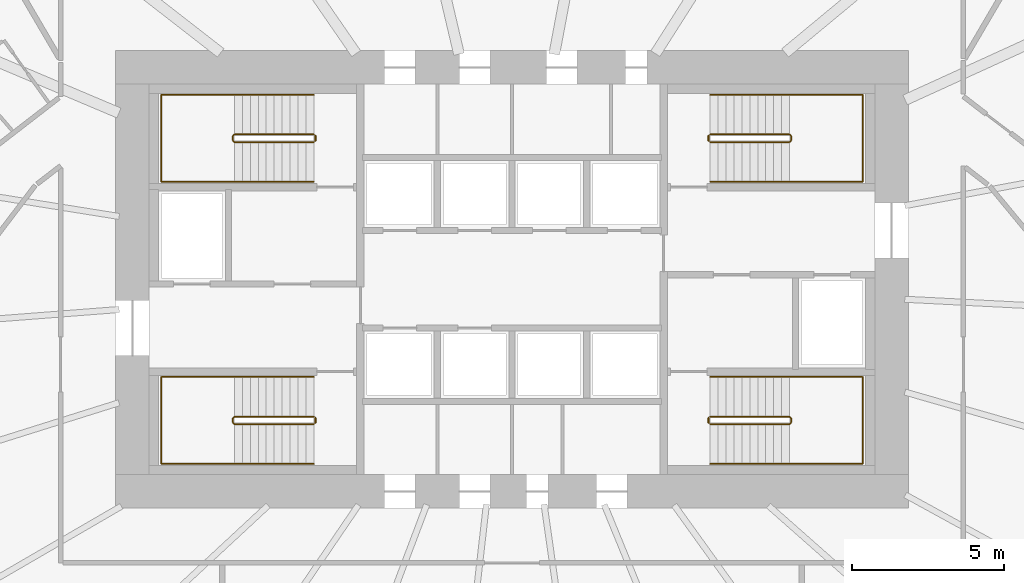
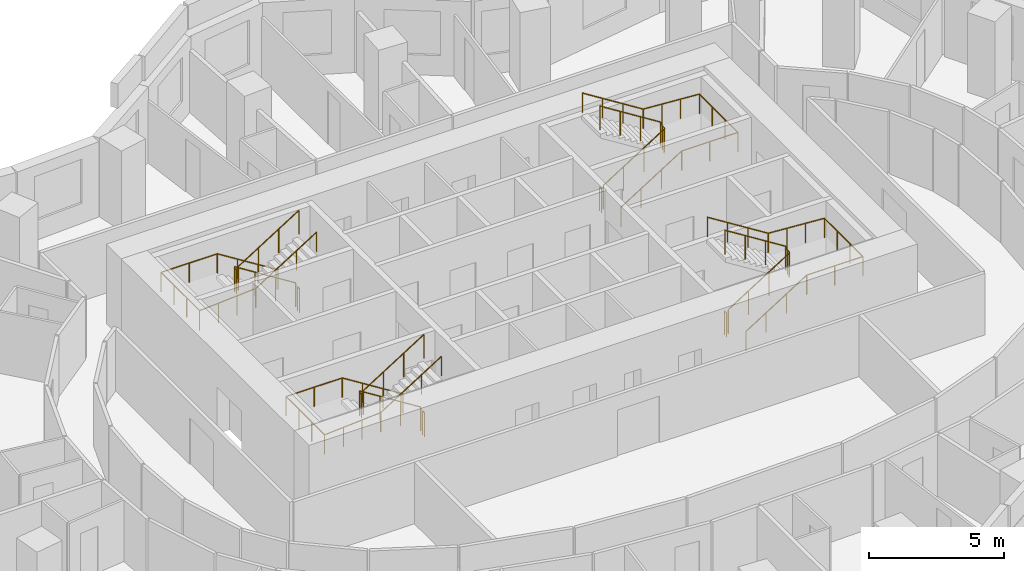
# One storey, part 11 of 11: 12 railings.
"""IFC4 building model written with IfcOpenShell, lengths in metres."""

from ifc_helpers import new_model, si_unit, direction, frame, origin, origin_2d, place, context, subcontext, project, spatial, circle, extrude, material, type_object, element, save


model = new_model("IFC4")

# Units and contexts
model_context = context("Model", 3, precision=1e-05, world=origin(), true_north=direction((0.0, 1.0)))
body_context = subcontext(model_context, "Body", "Model", "MODEL_VIEW")
ifc_project = project(units=[si_unit("LENGTHUNIT", "METRE"), si_unit("AREAUNIT", "SQUARE_METRE"), si_unit("VOLUMEUNIT", "CUBIC_METRE"), si_unit("PLANEANGLEUNIT", "RADIAN"), si_unit("MASSUNIT", "GRAM", prefix="KILO")], contexts=[model_context])

# Site, building, storey
site_placement = place(None, origin())
site = spatial("IfcSite", under=ifc_project, at=site_placement, CompositionType="ELEMENT")
building_placement = place(site_placement, origin())
building = spatial("IfcBuilding", under=site, at=building_placement, Name="Rubra Terraces Tower", CompositionType="ELEMENT")
storey_placement = place(building_placement, frame((0.0, 0.0, 81.60009765625)))
storey = spatial("IfcBuildingStorey", under=building, at=storey_placement, Name="L18", CompositionType="ELEMENT", Elevation=81.60009765625)

# Railings
ifc_material = material(Name="Stainless steel", Category="steel")
railing_type_1 = type_object("IfcRailingType", Name="Core stair guard 1100", PredefinedType="GUARDRAIL", material=ifc_material)
railing_1_placement = place(storey_placement, frame((-6.5, 0.0, 0.16357421875)))
element("IfcRailing", 1, at=railing_1_placement, inside=storey, type_object=railing_type_1, Name="L18 stair S1 guard 1", PredefinedType="GUARDRAIL", context=body_context, shape_type="SweptSolid", body=[
    extrude(circle(Radius=0.02392578125, at=origin_2d()), frame((0.0, 0.0, 1.076171875), z_axis=(-0.846360218416, 0.0, 0.532610909279), x_axis=(0.0, -1.0, 0.0)), (0.0, 0.0, 1.0), 3.072021484375),
    extrude(circle(Radius=0.02392578125, at=origin_2d()), frame((-2.60009765625, 0.0, 2.71240234375), z_axis=(-0.705375805398, -0.708833529934, 0.0), x_axis=(0.708833529934, -0.705375805398, 0.0)), (0.0, 0.0, 1.0), 0.070556640625),
    extrude(circle(Radius=0.02392578125, at=origin_2d()), frame((-2.64990234375, -0.050048828125, 2.71240234375), z_axis=(0.0, -1.0, 0.0), x_axis=(1.0, 0.0, 0.0)), (0.0, 0.0, 1.0), 0.14990234375),
    extrude(circle(Radius=0.02392578125, at=origin_2d()), frame((-2.64990234375, -0.199951171875, 2.71240234375), z_axis=(0.279194930351, -0.280563532951, 0.91833234444), x_axis=(0.708833529934, 0.705375805398, 0.0)), (0.0, 0.0, 1.0), 0.178466796875),
    extrude(circle(Radius=0.02392578125, at=origin_2d()), frame((-2.60009765625, -0.25, 2.8759765625), z_axis=(0.846360218416, 0.0, 0.532610909279), x_axis=(0.0, 1.0, 0.0)), (0.0, 0.0, 1.0), 3.072021484375),
    extrude(circle(Radius=0.02099609375, at=origin_2d()), origin(), (0.0, 0.0, 1.0), 1.052001953125),
    extrude(circle(Radius=0.02099609375, at=origin_2d()), frame((-0.86669921875, 0.0, 0.54541015625)), (0.0, 0.0, 1.0), 1.052001953125),
    extrude(circle(Radius=0.02099609375, at=origin_2d()), frame((-1.7333984375, 0.0, 1.0908203125)), (0.0, 0.0, 1.0), 1.052001953125),
    extrude(circle(Radius=0.02099609375, at=origin_2d()), frame((-2.60009765625, 0.0, 1.63623046875)), (0.0, 0.0, 1.0), 1.052001953125),
    extrude(circle(Radius=0.02099609375, at=origin_2d()), frame((-2.64990234375, -0.050048828125, 1.63623046875)), (0.0, 0.0, 1.0), 1.052001953125),
    extrude(circle(Radius=0.02099609375, at=origin_2d()), frame((-2.64990234375, -0.199951171875, 1.63623046875)), (0.0, 0.0, 1.0), 1.052001953125),
    extrude(circle(Radius=0.02099609375, at=origin_2d()), frame((-2.60009765625, -0.25, 1.800048828125)), (0.0, 0.0, 1.0), 1.052001953125),
    extrude(circle(Radius=0.02099609375, at=origin_2d()), frame((-1.7333984375, -0.25, 2.345458984375)), (0.0, 0.0, 1.0), 1.052001953125),
    extrude(circle(Radius=0.02099609375, at=origin_2d()), frame((-0.86669921875, -0.25, 2.890869140625)), (0.0, 0.0, 1.0), 1.052001953125),
    extrude(circle(Radius=0.02099609375, at=origin_2d()), frame((0.0, -0.25, 3.436279296875)), (0.0, 0.0, 1.0), 1.052001953125),
])
railing_2_placement = place(storey_placement, frame((-6.449951171875, -0.050048828125, 0.0)))
element("IfcRailing", 2, at=railing_2_placement, inside=storey, type_object=railing_type_1, Name="L18 stair S1 guard 2", PredefinedType="GUARDRAIL", context=body_context, shape_type="SweptSolid", body=[
    extrude(circle(Radius=0.02392578125, at=origin_2d()), frame((0.0, 0.0, 1.076171875), z_axis=(0.0, -1.0, 0.0), x_axis=(1.0, 0.0, 0.0)), (0.0, 0.0, 1.0), 0.14990234375),
    extrude(circle(Radius=0.02099609375, at=origin_2d()), origin(), (0.0, 0.0, 1.0), 1.052001953125),
    extrude(circle(Radius=0.02099609375, at=origin_2d()), frame((0.0, -0.14990234375, 0.0)), (0.0, 0.0, 1.0), 1.052001953125),
])
railing_3_placement = place(storey_placement, frame((-6.5, 9.25, 0.16357421875)))
element("IfcRailing", 3, at=railing_3_placement, inside=storey, type_object=railing_type_1, Name="L18 stair S2 guard 1", PredefinedType="GUARDRAIL", context=body_context, shape_type="SweptSolid", body=[
    extrude(circle(Radius=0.02392578125, at=origin_2d()), frame((0.0, 0.0, 1.076171875), z_axis=(-0.846360218416, 0.0, 0.532610909279), x_axis=(0.0, -1.0, 0.0)), (0.0, 0.0, 1.0), 3.072021484375),
    extrude(circle(Radius=0.02392578125, at=origin_2d()), frame((-2.60009765625, 0.0, 2.71240234375), z_axis=(-0.705375805398, -0.708833529934, 0.0), x_axis=(0.708833529934, -0.705375805398, 0.0)), (0.0, 0.0, 1.0), 0.070556640625),
    extrude(circle(Radius=0.02392578125, at=origin_2d()), frame((-2.64990234375, -0.050048828125, 2.71240234375), z_axis=(0.0, -1.0, 0.0), x_axis=(1.0, 0.0, 0.0)), (0.0, 0.0, 1.0), 0.14990234375),
    extrude(circle(Radius=0.02392578125, at=origin_2d()), frame((-2.64990234375, -0.199951171875, 2.71240234375), z_axis=(0.279194930351, -0.280563532951, 0.91833234444), x_axis=(0.708833529934, 0.705375805398, 0.0)), (0.0, 0.0, 1.0), 0.178466796875),
    extrude(circle(Radius=0.02392578125, at=origin_2d()), frame((-2.60009765625, -0.25, 2.8759765625), z_axis=(0.846360218416, 0.0, 0.532610909279), x_axis=(0.0, 1.0, 0.0)), (0.0, 0.0, 1.0), 3.072021484375),
    extrude(circle(Radius=0.02099609375, at=origin_2d()), origin(), (0.0, 0.0, 1.0), 1.052001953125),
    extrude(circle(Radius=0.02099609375, at=origin_2d()), frame((-0.86669921875, 0.0, 0.54541015625)), (0.0, 0.0, 1.0), 1.052001953125),
    extrude(circle(Radius=0.02099609375, at=origin_2d()), frame((-1.7333984375, 0.0, 1.0908203125)), (0.0, 0.0, 1.0), 1.052001953125),
    extrude(circle(Radius=0.02099609375, at=origin_2d()), frame((-2.60009765625, 0.0, 1.63623046875)), (0.0, 0.0, 1.0), 1.052001953125),
    extrude(circle(Radius=0.02099609375, at=origin_2d()), frame((-2.64990234375, -0.050048828125, 1.63623046875)), (0.0, 0.0, 1.0), 1.052001953125),
    extrude(circle(Radius=0.02099609375, at=origin_2d()), frame((-2.64990234375, -0.199951171875, 1.63623046875)), (0.0, 0.0, 1.0), 1.052001953125),
    extrude(circle(Radius=0.02099609375, at=origin_2d()), frame((-2.60009765625, -0.25, 1.800048828125)), (0.0, 0.0, 1.0), 1.052001953125),
    extrude(circle(Radius=0.02099609375, at=origin_2d()), frame((-1.7333984375, -0.25, 2.345458984375)), (0.0, 0.0, 1.0), 1.052001953125),
    extrude(circle(Radius=0.02099609375, at=origin_2d()), frame((-0.86669921875, -0.25, 2.890869140625)), (0.0, 0.0, 1.0), 1.052001953125),
    extrude(circle(Radius=0.02099609375, at=origin_2d()), frame((0.0, -0.25, 3.436279296875)), (0.0, 0.0, 1.0), 1.052001953125),
])
railing_4_placement = place(storey_placement, frame((-6.449951171875, 9.199951171875, 0.0)))
element("IfcRailing", 4, at=railing_4_placement, inside=storey, type_object=railing_type_1, Name="L18 stair S2 guard 2", PredefinedType="GUARDRAIL", context=body_context, shape_type="SweptSolid", body=[
    extrude(circle(Radius=0.02392578125, at=origin_2d()), frame((0.0, 0.0, 1.076171875), z_axis=(0.0, -1.0, 0.0), x_axis=(1.0, 0.0, 0.0)), (0.0, 0.0, 1.0), 0.14990234375),
    extrude(circle(Radius=0.02099609375, at=origin_2d()), origin(), (0.0, 0.0, 1.0), 1.052001953125),
    extrude(circle(Radius=0.02099609375, at=origin_2d()), frame((0.0, -0.14990234375, 0.0)), (0.0, 0.0, 1.0), 1.052001953125),
])
railing_5_placement = place(storey_placement, frame((6.5, 9.0, 0.16357421875)))
element("IfcRailing", 5, at=railing_5_placement, inside=storey, type_object=railing_type_1, Name="L18 stair S3 guard 1", PredefinedType="GUARDRAIL", context=body_context, shape_type="SweptSolid", body=[
    extrude(circle(Radius=0.02392578125, at=origin_2d()), frame((0.0, 0.0, 1.076171875), z_axis=(0.846360218416, 0.0, 0.532610909279), x_axis=(0.0, 1.0, 0.0)), (0.0, 0.0, 1.0), 3.072021484375),
    extrude(circle(Radius=0.02392578125, at=origin_2d()), frame((2.60009765625, 0.0, 2.71240234375), z_axis=(0.705375805398, 0.708833529934, 0.0), x_axis=(-0.708833529934, 0.705375805398, 0.0)), (0.0, 0.0, 1.0), 0.070556640625),
    extrude(circle(Radius=0.02392578125, at=origin_2d()), frame((2.64990234375, 0.050048828125, 2.71240234375), z_axis=(0.0, 1.0, 0.0), x_axis=(-1.0, 0.0, 0.0)), (0.0, 0.0, 1.0), 0.14990234375),
    extrude(circle(Radius=0.02392578125, at=origin_2d()), frame((2.64990234375, 0.199951171875, 2.71240234375), z_axis=(-0.279194930351, 0.280563532951, 0.91833234444), x_axis=(-0.708833529934, -0.705375805398, 0.0)), (0.0, 0.0, 1.0), 0.178466796875),
    extrude(circle(Radius=0.02392578125, at=origin_2d()), frame((2.60009765625, 0.25, 2.8759765625), z_axis=(-0.846360218416, 0.0, 0.532610909279), x_axis=(0.0, -1.0, 0.0)), (0.0, 0.0, 1.0), 3.072021484375),
    extrude(circle(Radius=0.02099609375, at=origin_2d()), origin(), (0.0, 0.0, 1.0), 1.052001953125),
    extrude(circle(Radius=0.02099609375, at=origin_2d()), frame((0.86669921875, 0.0, 0.54541015625)), (0.0, 0.0, 1.0), 1.052001953125),
    extrude(circle(Radius=0.02099609375, at=origin_2d()), frame((1.7333984375, 0.0, 1.0908203125)), (0.0, 0.0, 1.0), 1.052001953125),
    extrude(circle(Radius=0.02099609375, at=origin_2d()), frame((2.60009765625, 0.0, 1.63623046875)), (0.0, 0.0, 1.0), 1.052001953125),
    extrude(circle(Radius=0.02099609375, at=origin_2d()), frame((2.64990234375, 0.050048828125, 1.63623046875)), (0.0, 0.0, 1.0), 1.052001953125),
    extrude(circle(Radius=0.02099609375, at=origin_2d()), frame((2.64990234375, 0.199951171875, 1.63623046875)), (0.0, 0.0, 1.0), 1.052001953125),
    extrude(circle(Radius=0.02099609375, at=origin_2d()), frame((2.60009765625, 0.25, 1.800048828125)), (0.0, 0.0, 1.0), 1.052001953125),
    extrude(circle(Radius=0.02099609375, at=origin_2d()), frame((1.7333984375, 0.25, 2.345458984375)), (0.0, 0.0, 1.0), 1.052001953125),
    extrude(circle(Radius=0.02099609375, at=origin_2d()), frame((0.86669921875, 0.25, 2.890869140625)), (0.0, 0.0, 1.0), 1.052001953125),
    extrude(circle(Radius=0.02099609375, at=origin_2d()), frame((0.0, 0.25, 3.436279296875)), (0.0, 0.0, 1.0), 1.052001953125),
])
railing_6_placement = place(storey_placement, frame((6.449951171875, 9.050048828125, 0.0)))
element("IfcRailing", 6, at=railing_6_placement, inside=storey, type_object=railing_type_1, Name="L18 stair S3 guard 2", PredefinedType="GUARDRAIL", context=body_context, shape_type="SweptSolid", body=[
    extrude(circle(Radius=0.02392578125, at=origin_2d()), frame((0.0, 0.0, 1.076171875), z_axis=(0.0, 1.0, 0.0), x_axis=(-1.0, 0.0, 0.0)), (0.0, 0.0, 1.0), 0.14990234375),
    extrude(circle(Radius=0.02099609375, at=origin_2d()), origin(), (0.0, 0.0, 1.0), 1.052001953125),
    extrude(circle(Radius=0.02099609375, at=origin_2d()), frame((0.0, 0.14990234375, 0.0)), (0.0, 0.0, 1.0), 1.052001953125),
])
railing_7_placement = place(storey_placement, frame((6.5, -0.25, 0.16357421875)))
element("IfcRailing", 7, at=railing_7_placement, inside=storey, type_object=railing_type_1, Name="L18 stair S4 guard 1", PredefinedType="GUARDRAIL", context=body_context, shape_type="SweptSolid", body=[
    extrude(circle(Radius=0.02392578125, at=origin_2d()), frame((0.0, 0.0, 1.076171875), z_axis=(0.846360218416, 0.0, 0.532610909279), x_axis=(0.0, 1.0, 0.0)), (0.0, 0.0, 1.0), 3.072021484375),
    extrude(circle(Radius=0.02392578125, at=origin_2d()), frame((2.60009765625, 0.0, 2.71240234375), z_axis=(0.705375805398, 0.708833529934, 0.0), x_axis=(-0.708833529934, 0.705375805398, 0.0)), (0.0, 0.0, 1.0), 0.070556640625),
    extrude(circle(Radius=0.02392578125, at=origin_2d()), frame((2.64990234375, 0.050048828125, 2.71240234375), z_axis=(0.0, 1.0, 0.0), x_axis=(-1.0, 0.0, 0.0)), (0.0, 0.0, 1.0), 0.14990234375),
    extrude(circle(Radius=0.02392578125, at=origin_2d()), frame((2.64990234375, 0.199951171875, 2.71240234375), z_axis=(-0.279194930351, 0.280563532951, 0.91833234444), x_axis=(-0.708833529934, -0.705375805398, 0.0)), (0.0, 0.0, 1.0), 0.178466796875),
    extrude(circle(Radius=0.02392578125, at=origin_2d()), frame((2.60009765625, 0.25, 2.8759765625), z_axis=(-0.846360218416, 0.0, 0.532610909279), x_axis=(0.0, -1.0, 0.0)), (0.0, 0.0, 1.0), 3.072021484375),
    extrude(circle(Radius=0.02099609375, at=origin_2d()), origin(), (0.0, 0.0, 1.0), 1.052001953125),
    extrude(circle(Radius=0.02099609375, at=origin_2d()), frame((0.86669921875, 0.0, 0.54541015625)), (0.0, 0.0, 1.0), 1.052001953125),
    extrude(circle(Radius=0.02099609375, at=origin_2d()), frame((1.7333984375, 0.0, 1.0908203125)), (0.0, 0.0, 1.0), 1.052001953125),
    extrude(circle(Radius=0.02099609375, at=origin_2d()), frame((2.60009765625, 0.0, 1.63623046875)), (0.0, 0.0, 1.0), 1.052001953125),
    extrude(circle(Radius=0.02099609375, at=origin_2d()), frame((2.64990234375, 0.050048828125, 1.63623046875)), (0.0, 0.0, 1.0), 1.052001953125),
    extrude(circle(Radius=0.02099609375, at=origin_2d()), frame((2.64990234375, 0.199951171875, 1.63623046875)), (0.0, 0.0, 1.0), 1.052001953125),
    extrude(circle(Radius=0.02099609375, at=origin_2d()), frame((2.60009765625, 0.25, 1.800048828125)), (0.0, 0.0, 1.0), 1.052001953125),
    extrude(circle(Radius=0.02099609375, at=origin_2d()), frame((1.7333984375, 0.25, 2.345458984375)), (0.0, 0.0, 1.0), 1.052001953125),
    extrude(circle(Radius=0.02099609375, at=origin_2d()), frame((0.86669921875, 0.25, 2.890869140625)), (0.0, 0.0, 1.0), 1.052001953125),
    extrude(circle(Radius=0.02099609375, at=origin_2d()), frame((0.0, 0.25, 3.436279296875)), (0.0, 0.0, 1.0), 1.052001953125),
])
railing_8_placement = place(storey_placement, frame((6.449951171875, -0.199951171875, 0.0)))
element("IfcRailing", 8, at=railing_8_placement, inside=storey, type_object=railing_type_1, Name="L18 stair S4 guard 2", PredefinedType="GUARDRAIL", context=body_context, shape_type="SweptSolid", body=[
    extrude(circle(Radius=0.02392578125, at=origin_2d()), frame((0.0, 0.0, 1.076171875), z_axis=(0.0, 1.0, 0.0), x_axis=(-1.0, 0.0, 0.0)), (0.0, 0.0, 1.0), 0.14990234375),
    extrude(circle(Radius=0.02099609375, at=origin_2d()), origin(), (0.0, 0.0, 1.0), 1.052001953125),
    extrude(circle(Radius=0.02099609375, at=origin_2d()), frame((0.0, 0.14990234375, 0.0)), (0.0, 0.0, 1.0), 1.052001953125),
])
railing_type_2 = type_object("IfcRailingType", Name="Core stair handrail 900", PredefinedType="HANDRAIL", material=ifc_material)
railing_9_placement = place(storey_placement, frame((-6.5, 1.300048828125, 0.16357421875)))
element("IfcRailing", 9, at=railing_9_placement, inside=storey, type_object=railing_type_2, Name="L18 stair S1 handrail 1", PredefinedType="HANDRAIL", context=body_context, shape_type="SweptSolid", body=[
    extrude(circle(Radius=0.02392578125, at=origin_2d()), frame((0.0, 0.0, 0.8759765625), z_axis=(-0.846360218416, 0.0, 0.532610909279), x_axis=(0.0, -1.0, 0.0)), (0.0, 0.0, 1.0), 3.072021484375),
    extrude(circle(Radius=0.02392578125, at=origin_2d()), frame((-2.60009765625, 0.0, 2.51220703125), z_axis=(-1.0, 0.0, 0.0), x_axis=(0.0, -1.0, 0.0)), (0.0, 0.0, 1.0), 2.39990234375),
    extrude(circle(Radius=0.02392578125, at=origin_2d()), frame((-5.0, 0.0, 2.51220703125), z_axis=(0.0, -1.0, 0.0), x_axis=(1.0, 0.0, 0.0)), (0.0, 0.0, 1.0), 2.85009765625),
    extrude(circle(Radius=0.02392578125, at=origin_2d()), frame((-5.0, -2.85009765625, 2.51220703125), z_axis=(0.997678367104, 0.0, 0.06810195161), x_axis=(0.0, 1.0, 0.0)), (0.0, 0.0, 1.0), 2.405517578125),
    extrude(circle(Radius=0.02392578125, at=origin_2d()), frame((-2.60009765625, -2.85009765625, 2.67578125), z_axis=(0.846360218416, 0.0, 0.532610909279), x_axis=(0.0, 1.0, 0.0)), (0.0, 0.0, 1.0), 3.072021484375),
    extrude(circle(Radius=0.02099609375, at=origin_2d()), origin(), (0.0, 0.0, 1.0), 0.851806640625),
    extrude(circle(Radius=0.02099609375, at=origin_2d()), frame((-0.86669921875, 0.0, 0.54541015625)), (0.0, 0.0, 1.0), 0.851806640625),
    extrude(circle(Radius=0.02099609375, at=origin_2d()), frame((-1.7333984375, 0.0, 1.0908203125)), (0.0, 0.0, 1.0), 0.851806640625),
    extrude(circle(Radius=0.02099609375, at=origin_2d()), frame((-2.60009765625, 0.0, 1.63623046875)), (0.0, 0.0, 1.0), 0.851806640625),
    extrude(circle(Radius=0.02099609375, at=origin_2d()), frame((-3.800048828125, 0.0, 1.63623046875)), (0.0, 0.0, 1.0), 0.851806640625),
    extrude(circle(Radius=0.02099609375, at=origin_2d()), frame((-5.0, 0.0, 1.63623046875)), (0.0, 0.0, 1.0), 0.851806640625),
    extrude(circle(Radius=0.02099609375, at=origin_2d()), frame((-5.0, -0.949951171875, 1.63623046875)), (0.0, 0.0, 1.0), 0.851806640625),
    extrude(circle(Radius=0.02099609375, at=origin_2d()), frame((-5.0, -1.900146484375, 1.63623046875)), (0.0, 0.0, 1.0), 0.851806640625),
    extrude(circle(Radius=0.02099609375, at=origin_2d()), frame((-5.0, -2.85009765625, 1.63623046875)), (0.0, 0.0, 1.0), 0.851806640625),
    extrude(circle(Radius=0.02099609375, at=origin_2d()), frame((-4.199951171875, -2.85009765625, 1.69091796875)), (0.0, 0.0, 1.0), 0.851806640625),
    extrude(circle(Radius=0.02099609375, at=origin_2d()), frame((-3.400146484375, -2.85009765625, 1.745361328125)), (0.0, 0.0, 1.0), 0.851806640625),
    extrude(circle(Radius=0.02099609375, at=origin_2d()), frame((-2.60009765625, -2.85009765625, 1.800048828125)), (0.0, 0.0, 1.0), 0.851806640625),
    extrude(circle(Radius=0.02099609375, at=origin_2d()), frame((-1.7333984375, -2.85009765625, 2.345458984375)), (0.0, 0.0, 1.0), 0.851806640625),
    extrude(circle(Radius=0.02099609375, at=origin_2d()), frame((-0.86669921875, -2.85009765625, 2.890869140625)), (0.0, 0.0, 1.0), 0.851806640625),
    extrude(circle(Radius=0.02099609375, at=origin_2d()), frame((0.0, -2.85009765625, 3.436279296875)), (0.0, 0.0, 1.0), 0.851806640625),
])
railing_10_placement = place(storey_placement, frame((-6.5, 10.550048828125, 0.16357421875)))
element("IfcRailing", 10, at=railing_10_placement, inside=storey, type_object=railing_type_2, Name="L18 stair S2 handrail 1", PredefinedType="HANDRAIL", context=body_context, shape_type="SweptSolid", body=[
    extrude(circle(Radius=0.02392578125, at=origin_2d()), frame((0.0, 0.0, 0.8759765625), z_axis=(-0.846360218416, 0.0, 0.532610909279), x_axis=(0.0, -1.0, 0.0)), (0.0, 0.0, 1.0), 3.072021484375),
    extrude(circle(Radius=0.02392578125, at=origin_2d()), frame((-2.60009765625, 0.0, 2.51220703125), z_axis=(-1.0, 0.0, 0.0), x_axis=(0.0, -1.0, 0.0)), (0.0, 0.0, 1.0), 2.39990234375),
    extrude(circle(Radius=0.02392578125, at=origin_2d()), frame((-5.0, 0.0, 2.51220703125), z_axis=(0.0, -1.0, 0.0), x_axis=(1.0, 0.0, 0.0)), (0.0, 0.0, 1.0), 2.85009765625),
    extrude(circle(Radius=0.02392578125, at=origin_2d()), frame((-5.0, -2.85009765625, 2.51220703125), z_axis=(0.997678367104, 0.0, 0.06810195161), x_axis=(0.0, 1.0, 0.0)), (0.0, 0.0, 1.0), 2.405517578125),
    extrude(circle(Radius=0.02392578125, at=origin_2d()), frame((-2.60009765625, -2.85009765625, 2.67578125), z_axis=(0.846360218416, 0.0, 0.532610909279), x_axis=(0.0, 1.0, 0.0)), (0.0, 0.0, 1.0), 3.072021484375),
    extrude(circle(Radius=0.02099609375, at=origin_2d()), origin(), (0.0, 0.0, 1.0), 0.851806640625),
    extrude(circle(Radius=0.02099609375, at=origin_2d()), frame((-0.86669921875, 0.0, 0.54541015625)), (0.0, 0.0, 1.0), 0.851806640625),
    extrude(circle(Radius=0.02099609375, at=origin_2d()), frame((-1.7333984375, 0.0, 1.0908203125)), (0.0, 0.0, 1.0), 0.851806640625),
    extrude(circle(Radius=0.02099609375, at=origin_2d()), frame((-2.60009765625, 0.0, 1.63623046875)), (0.0, 0.0, 1.0), 0.851806640625),
    extrude(circle(Radius=0.02099609375, at=origin_2d()), frame((-3.800048828125, 0.0, 1.63623046875)), (0.0, 0.0, 1.0), 0.851806640625),
    extrude(circle(Radius=0.02099609375, at=origin_2d()), frame((-5.0, 0.0, 1.63623046875)), (0.0, 0.0, 1.0), 0.851806640625),
    extrude(circle(Radius=0.02099609375, at=origin_2d()), frame((-5.0, -0.949951171875, 1.63623046875)), (0.0, 0.0, 1.0), 0.851806640625),
    extrude(circle(Radius=0.02099609375, at=origin_2d()), frame((-5.0, -1.900146484375, 1.63623046875)), (0.0, 0.0, 1.0), 0.851806640625),
    extrude(circle(Radius=0.02099609375, at=origin_2d()), frame((-5.0, -2.85009765625, 1.63623046875)), (0.0, 0.0, 1.0), 0.851806640625),
    extrude(circle(Radius=0.02099609375, at=origin_2d()), frame((-4.199951171875, -2.85009765625, 1.69091796875)), (0.0, 0.0, 1.0), 0.851806640625),
    extrude(circle(Radius=0.02099609375, at=origin_2d()), frame((-3.400146484375, -2.85009765625, 1.745361328125)), (0.0, 0.0, 1.0), 0.851806640625),
    extrude(circle(Radius=0.02099609375, at=origin_2d()), frame((-2.60009765625, -2.85009765625, 1.800048828125)), (0.0, 0.0, 1.0), 0.851806640625),
    extrude(circle(Radius=0.02099609375, at=origin_2d()), frame((-1.7333984375, -2.85009765625, 2.345458984375)), (0.0, 0.0, 1.0), 0.851806640625),
    extrude(circle(Radius=0.02099609375, at=origin_2d()), frame((-0.86669921875, -2.85009765625, 2.890869140625)), (0.0, 0.0, 1.0), 0.851806640625),
    extrude(circle(Radius=0.02099609375, at=origin_2d()), frame((0.0, -2.85009765625, 3.436279296875)), (0.0, 0.0, 1.0), 0.851806640625),
])
railing_11_placement = place(storey_placement, frame((6.5, 7.699951171875, 0.16357421875)))
element("IfcRailing", 11, at=railing_11_placement, inside=storey, type_object=railing_type_2, Name="L18 stair S3 handrail 1", PredefinedType="HANDRAIL", context=body_context, shape_type="SweptSolid", body=[
    extrude(circle(Radius=0.02392578125, at=origin_2d()), frame((0.0, 0.0, 0.8759765625), z_axis=(0.846360218416, 0.0, 0.532610909279), x_axis=(0.0, 1.0, 0.0)), (0.0, 0.0, 1.0), 3.072021484375),
    extrude(circle(Radius=0.02392578125, at=origin_2d()), frame((2.60009765625, 0.0, 2.51220703125), z_axis=(1.0, 0.0, 0.0), x_axis=(0.0, 1.0, 0.0)), (0.0, 0.0, 1.0), 2.39990234375),
    extrude(circle(Radius=0.02392578125, at=origin_2d()), frame((5.0, 0.0, 2.51220703125), z_axis=(0.0, 1.0, 0.0), x_axis=(-1.0, 0.0, 0.0)), (0.0, 0.0, 1.0), 2.85009765625),
    extrude(circle(Radius=0.02392578125, at=origin_2d()), frame((5.0, 2.85009765625, 2.51220703125), z_axis=(-0.997678367104, 0.0, 0.06810195161), x_axis=(0.0, -1.0, 0.0)), (0.0, 0.0, 1.0), 2.405517578125),
    extrude(circle(Radius=0.02392578125, at=origin_2d()), frame((2.60009765625, 2.85009765625, 2.67578125), z_axis=(-0.846360218416, 0.0, 0.532610909279), x_axis=(0.0, -1.0, 0.0)), (0.0, 0.0, 1.0), 3.072021484375),
    extrude(circle(Radius=0.02099609375, at=origin_2d()), origin(), (0.0, 0.0, 1.0), 0.851806640625),
    extrude(circle(Radius=0.02099609375, at=origin_2d()), frame((0.86669921875, 0.0, 0.54541015625)), (0.0, 0.0, 1.0), 0.851806640625),
    extrude(circle(Radius=0.02099609375, at=origin_2d()), frame((1.7333984375, 0.0, 1.0908203125)), (0.0, 0.0, 1.0), 0.851806640625),
    extrude(circle(Radius=0.02099609375, at=origin_2d()), frame((2.60009765625, 0.0, 1.63623046875)), (0.0, 0.0, 1.0), 0.851806640625),
    extrude(circle(Radius=0.02099609375, at=origin_2d()), frame((3.800048828125, 0.0, 1.63623046875)), (0.0, 0.0, 1.0), 0.851806640625),
    extrude(circle(Radius=0.02099609375, at=origin_2d()), frame((5.0, 0.0, 1.63623046875)), (0.0, 0.0, 1.0), 0.851806640625),
    extrude(circle(Radius=0.02099609375, at=origin_2d()), frame((5.0, 0.949951171875, 1.63623046875)), (0.0, 0.0, 1.0), 0.851806640625),
    extrude(circle(Radius=0.02099609375, at=origin_2d()), frame((5.0, 1.900146484375, 1.63623046875)), (0.0, 0.0, 1.0), 0.851806640625),
    extrude(circle(Radius=0.02099609375, at=origin_2d()), frame((5.0, 2.85009765625, 1.63623046875)), (0.0, 0.0, 1.0), 0.851806640625),
    extrude(circle(Radius=0.02099609375, at=origin_2d()), frame((4.199951171875, 2.85009765625, 1.69091796875)), (0.0, 0.0, 1.0), 0.851806640625),
    extrude(circle(Radius=0.02099609375, at=origin_2d()), frame((3.400146484375, 2.85009765625, 1.745361328125)), (0.0, 0.0, 1.0), 0.851806640625),
    extrude(circle(Radius=0.02099609375, at=origin_2d()), frame((2.60009765625, 2.85009765625, 1.800048828125)), (0.0, 0.0, 1.0), 0.851806640625),
    extrude(circle(Radius=0.02099609375, at=origin_2d()), frame((1.7333984375, 2.85009765625, 2.345458984375)), (0.0, 0.0, 1.0), 0.851806640625),
    extrude(circle(Radius=0.02099609375, at=origin_2d()), frame((0.86669921875, 2.85009765625, 2.890869140625)), (0.0, 0.0, 1.0), 0.851806640625),
    extrude(circle(Radius=0.02099609375, at=origin_2d()), frame((0.0, 2.85009765625, 3.436279296875)), (0.0, 0.0, 1.0), 0.851806640625),
])
railing_12_placement = place(storey_placement, frame((6.5, -1.550048828125, 0.16357421875)))
element("IfcRailing", 12, at=railing_12_placement, inside=storey, type_object=railing_type_2, Name="L18 stair S4 handrail 1", PredefinedType="HANDRAIL", context=body_context, shape_type="SweptSolid", body=[
    extrude(circle(Radius=0.02392578125, at=origin_2d()), frame((0.0, 0.0, 0.8759765625), z_axis=(0.846360218416, 0.0, 0.532610909279), x_axis=(0.0, 1.0, 0.0)), (0.0, 0.0, 1.0), 3.072021484375),
    extrude(circle(Radius=0.02392578125, at=origin_2d()), frame((2.60009765625, 0.0, 2.51220703125), z_axis=(1.0, 0.0, 0.0), x_axis=(0.0, 1.0, 0.0)), (0.0, 0.0, 1.0), 2.39990234375),
    extrude(circle(Radius=0.02392578125, at=origin_2d()), frame((5.0, 0.0, 2.51220703125), z_axis=(0.0, 1.0, 0.0), x_axis=(-1.0, 0.0, 0.0)), (0.0, 0.0, 1.0), 2.85009765625),
    extrude(circle(Radius=0.02392578125, at=origin_2d()), frame((5.0, 2.85009765625, 2.51220703125), z_axis=(-0.997678367104, 0.0, 0.06810195161), x_axis=(0.0, -1.0, 0.0)), (0.0, 0.0, 1.0), 2.405517578125),
    extrude(circle(Radius=0.02392578125, at=origin_2d()), frame((2.60009765625, 2.85009765625, 2.67578125), z_axis=(-0.846360218416, 0.0, 0.532610909279), x_axis=(0.0, -1.0, 0.0)), (0.0, 0.0, 1.0), 3.072021484375),
    extrude(circle(Radius=0.02099609375, at=origin_2d()), origin(), (0.0, 0.0, 1.0), 0.851806640625),
    extrude(circle(Radius=0.02099609375, at=origin_2d()), frame((0.86669921875, 0.0, 0.54541015625)), (0.0, 0.0, 1.0), 0.851806640625),
    extrude(circle(Radius=0.02099609375, at=origin_2d()), frame((1.7333984375, 0.0, 1.0908203125)), (0.0, 0.0, 1.0), 0.851806640625),
    extrude(circle(Radius=0.02099609375, at=origin_2d()), frame((2.60009765625, 0.0, 1.63623046875)), (0.0, 0.0, 1.0), 0.851806640625),
    extrude(circle(Radius=0.02099609375, at=origin_2d()), frame((3.800048828125, 0.0, 1.63623046875)), (0.0, 0.0, 1.0), 0.851806640625),
    extrude(circle(Radius=0.02099609375, at=origin_2d()), frame((5.0, 0.0, 1.63623046875)), (0.0, 0.0, 1.0), 0.851806640625),
    extrude(circle(Radius=0.02099609375, at=origin_2d()), frame((5.0, 0.949951171875, 1.63623046875)), (0.0, 0.0, 1.0), 0.851806640625),
    extrude(circle(Radius=0.02099609375, at=origin_2d()), frame((5.0, 1.900146484375, 1.63623046875)), (0.0, 0.0, 1.0), 0.851806640625),
    extrude(circle(Radius=0.02099609375, at=origin_2d()), frame((5.0, 2.85009765625, 1.63623046875)), (0.0, 0.0, 1.0), 0.851806640625),
    extrude(circle(Radius=0.02099609375, at=origin_2d()), frame((4.199951171875, 2.85009765625, 1.69091796875)), (0.0, 0.0, 1.0), 0.851806640625),
    extrude(circle(Radius=0.02099609375, at=origin_2d()), frame((3.400146484375, 2.85009765625, 1.745361328125)), (0.0, 0.0, 1.0), 0.851806640625),
    extrude(circle(Radius=0.02099609375, at=origin_2d()), frame((2.60009765625, 2.85009765625, 1.800048828125)), (0.0, 0.0, 1.0), 0.851806640625),
    extrude(circle(Radius=0.02099609375, at=origin_2d()), frame((1.7333984375, 2.85009765625, 2.345458984375)), (0.0, 0.0, 1.0), 0.851806640625),
    extrude(circle(Radius=0.02099609375, at=origin_2d()), frame((0.86669921875, 2.85009765625, 2.890869140625)), (0.0, 0.0, 1.0), 0.851806640625),
    extrude(circle(Radius=0.02099609375, at=origin_2d()), frame((0.0, 2.85009765625, 3.436279296875)), (0.0, 0.0, 1.0), 0.851806640625),
])

save(model, "model.ifc")
